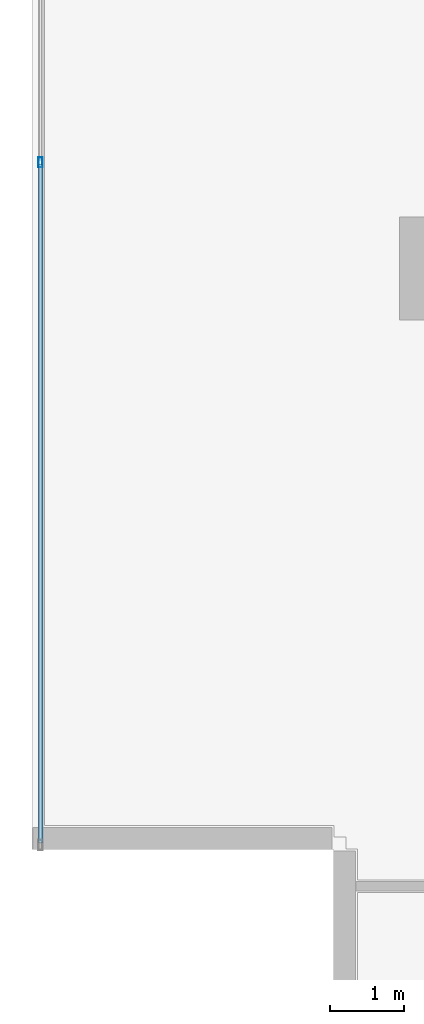
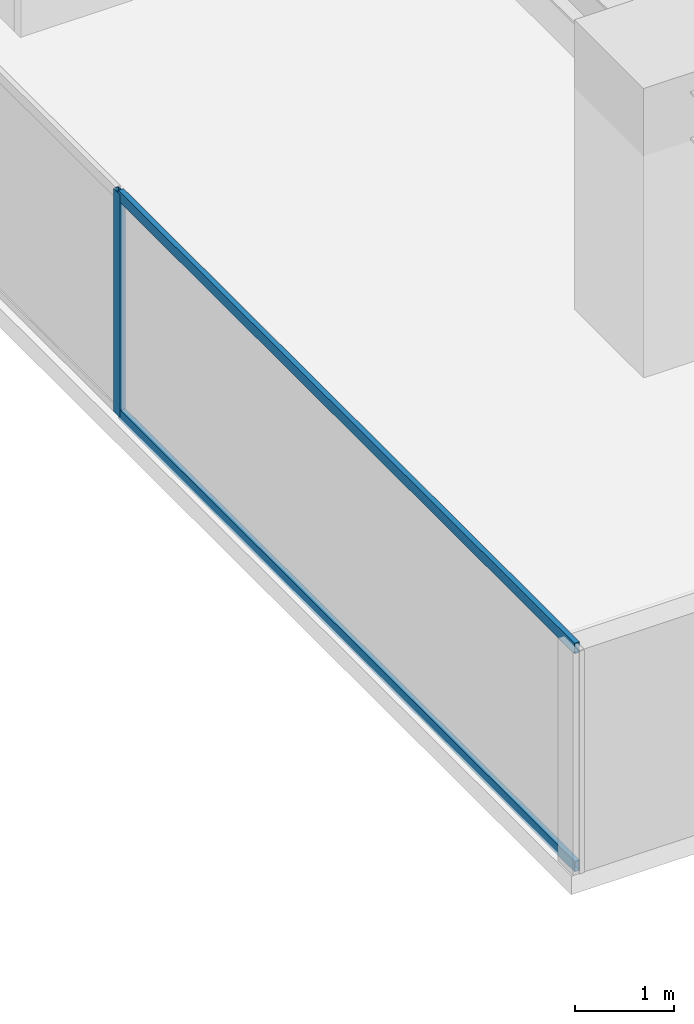
# One storey, part 4 of 26: 3 members, 1 element without a shape of its own.
"""IFC4 building model written with IfcOpenShell, lengths in metres."""

from ifc_helpers import new_model, si_unit, direction, frame, origin, origin_2d, place, context, subcontext, project, spatial, hollow_rectangle, extrude, source, transform, mapped, material, layer, layer_set, material_profile, profile_set, type_object, element, aggregate, save


model = new_model("IFC4")

# Units and contexts
model_context = context("Model", 3, precision=1e-05, world=origin(), true_north=direction((0.0, 1.0)))
body_context = subcontext(model_context, "Body", "Model", "MODEL_VIEW")
ifc_project = project(units=[si_unit("LENGTHUNIT", "METRE"), si_unit("AREAUNIT", "SQUARE_METRE"), si_unit("VOLUMEUNIT", "CUBIC_METRE"), si_unit("PLANEANGLEUNIT", "RADIAN"), si_unit("MASSUNIT", "GRAM", prefix="KILO")], contexts=[model_context])

# Site, building, storey
site_placement = place(None, origin())
site = spatial("IfcSite", under=ifc_project, at=site_placement, CompositionType="ELEMENT")
building_placement = place(site_placement, origin())
building = spatial("IfcBuilding", under=site, at=building_placement, Name="Sumidabori Civic Tower", CompositionType="ELEMENT")
storey_placement = place(building_placement, frame((0.0, 0.0, 236.0)))
storey = spatial("IfcBuildingStorey", under=building, at=storey_placement, Name="L61", CompositionType="ELEMENT", Elevation=236.0)

# Curtain wall, members
ifc_material = material(Name="Anodised Bronze Aluminium AW-6063-T6", Category="aluminium")
ifc_layer = layer(ifc_material, 0.179931640625, Name="Anodised Bronze Aluminium AW-6063-T6")
ifc_layer_set = layer_set([ifc_layer], Name="Anodised Bronze Aluminium AW-6063-T6")
curtain_wall_type = type_object("IfcCurtainWallType", Name="CW-SYS-5", PredefinedType="NOTDEFINED", material=ifc_layer_set)
curtain_wall_placement = place(storey_placement, origin())
curtain_wall = element("IfcCurtainWall", 1, at=curtain_wall_placement, inside=storey, type_object=curtain_wall_type, Name="Curtain Wall CW:L61:R10", PredefinedType="NOTDEFINED")
ifc_material_profile_1 = material_profile(ifc_material, hollow_rectangle(XDim=0.06005859375, YDim=0.139892578125, WallThickness=0.0048828125, at=origin_2d()), Name="ALU MULLION 140x60")
ifc_profile_set_1 = profile_set([ifc_material_profile_1], Name="Anodised Bronze Aluminium AW-6063-T6")
member_type_1 = type_object("IfcMemberType", Name="CW-MUL-140", PredefinedType="MULLION", material=ifc_profile_set_1)
shared_shape_1 = source(origin(), body_context, "Body", "SweptSolid", [
    extrude(hollow_rectangle(XDim=0.06005859375, YDim=0.139892578125, WallThickness=0.0048828125, at=origin_2d()), origin(), (0.0, 0.0, 1.0), 2.75),
])
member_1_placement = place(storey_placement, frame((-22.3798828125, 1.443359375, 0.0), z_axis=(0.0, 0.0, 1.0), x_axis=(1.0, 0.0, 0.0)))
member_1 = element("IfcMember", 2, at=member_1_placement, type_object=member_type_1, Name="CW-5 mullion 3", PredefinedType="MULLION", context=body_context, shape_type="MappedRepresentation", body=[
    mapped(shared_shape_1, transform((0.0, 0.0, 0.0), x_axis=(1.0, 0.0, 0.0), y_axis=(0.0, 1.0, 0.0), z_axis=(0.0, 0.0, 1.0), scale=1.0)),
])
ifc_material_profile_2 = material_profile(ifc_material, hollow_rectangle(XDim=0.06005859375, YDim=0.1298828125, WallThickness=0.0048828125, at=origin_2d()), Name="ALU TRANSOM 130x60")
ifc_profile_set_2 = profile_set([ifc_material_profile_2], Name="Anodised Bronze Aluminium AW-6063-T6")
member_type_2 = type_object("IfcMemberType", Name="CW-TRN-130", PredefinedType="USERDEFINED", material=ifc_profile_set_2)
shared_shape_2 = source(origin(), body_context, "Body", "SweptSolid", [
    extrude(hollow_rectangle(XDim=0.06005859375, YDim=0.1298828125, WallThickness=0.0048828125, at=origin_2d()), origin(), (0.0, 0.0, 1.0), 9.223388671875),
])
member_2_placement = place(storey_placement, frame((-22.3798828125, 1.413330078125, 0.030029296875), z_axis=(0.0, -1.0, 0.0), x_axis=(1.0, 0.0, 0.0)))
member_2 = element("IfcMember", 3, at=member_2_placement, type_object=member_type_2, Name="CW-5 transom 3.1", ObjectType="TRANSOM", PredefinedType="USERDEFINED", context=body_context, shape_type="MappedRepresentation", body=[
    mapped(shared_shape_2, transform((0.0, 0.0, 0.0), x_axis=(1.0, 0.0, 0.0), y_axis=(0.0, 1.0, 0.0), z_axis=(0.0, 0.0, 1.0), scale=1.0)),
])
member_3_placement = place(storey_placement, frame((-22.3798828125, 1.413330078125, 2.719970703125), z_axis=(0.0, -1.0, 0.0), x_axis=(1.0, 0.0, 0.0)))
member_3 = element("IfcMember", 4, at=member_3_placement, type_object=member_type_2, Name="CW-5 transom 3.2", ObjectType="TRANSOM", PredefinedType="USERDEFINED", context=body_context, shape_type="MappedRepresentation", body=[
    mapped(shared_shape_2, transform((0.0, 0.0, 0.0), x_axis=(1.0, 0.0, 0.0), y_axis=(0.0, 1.0, 0.0), z_axis=(0.0, 0.0, 1.0), scale=1.0)),
])
aggregate(curtain_wall, [member_1, member_2, member_3])

save(model, "model.ifc")
